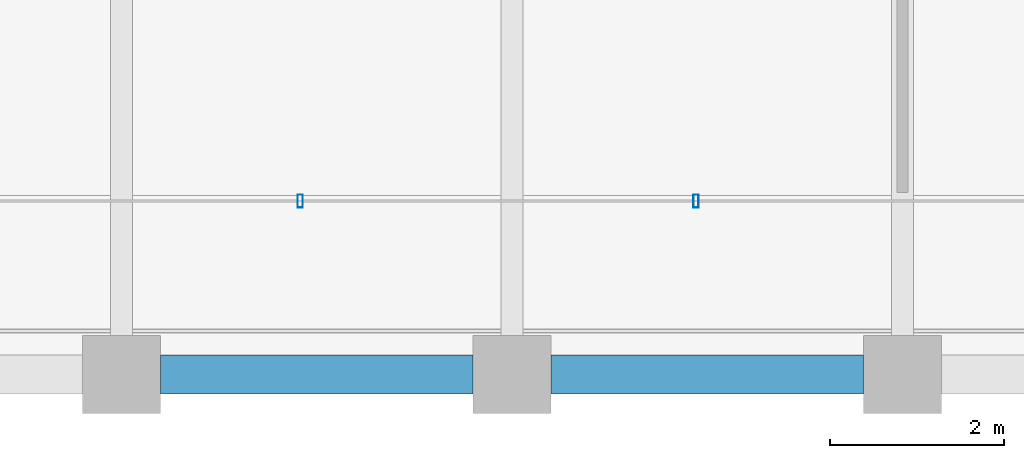
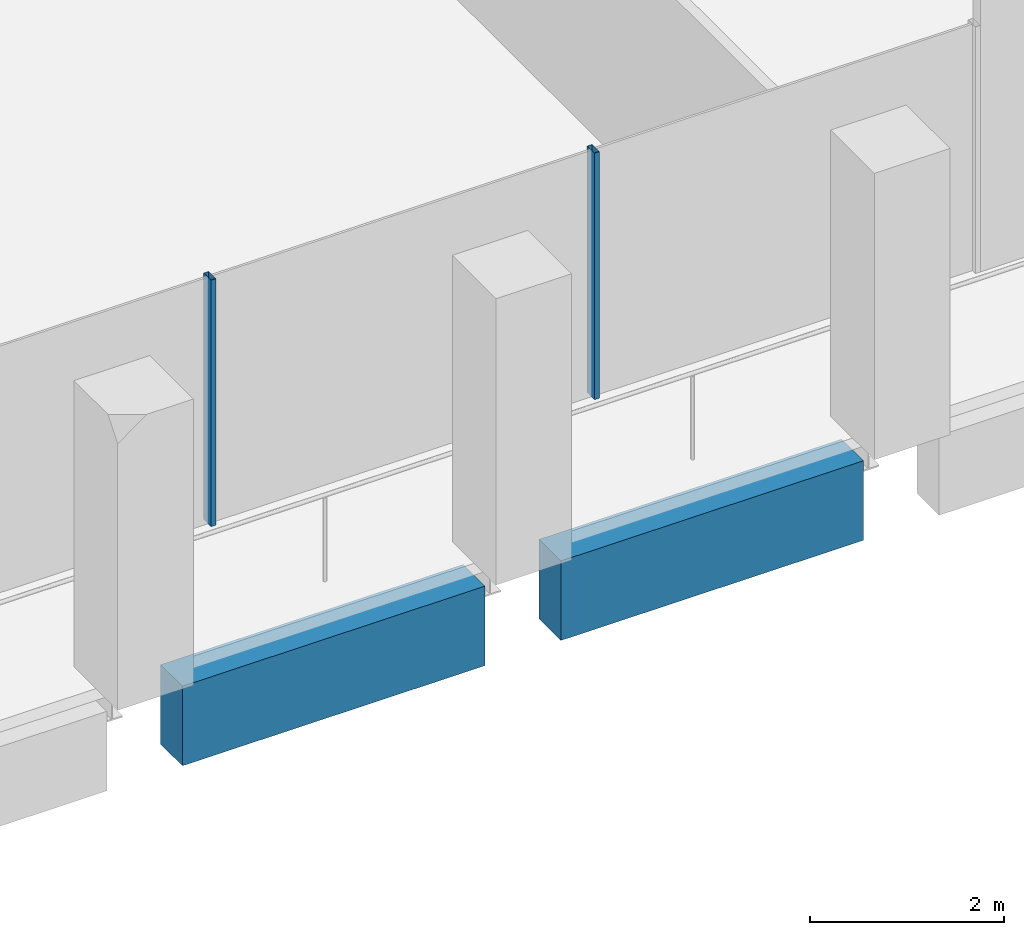
# One storey, part 3 of 40: 2 beams, 2 members, 1 element without a shape of its own.
"""IFC4 building model written with IfcOpenShell, lengths in metres."""

from ifc_helpers import new_model, si_unit, direction, frame, origin, origin_2d, place, context, subcontext, project, spatial, rectangle, hollow_rectangle, extrude, material, material_profile, profile_set, type_object, element, aggregate, save


model = new_model("IFC4")

# Units and contexts
model_context = context("Model", 3, precision=1e-05, world=origin(), true_north=direction((0.0, 1.0)))
body_context = subcontext(model_context, "Body", "Model", "MODEL_VIEW")
ifc_project = project(units=[si_unit("LENGTHUNIT", "METRE"), si_unit("AREAUNIT", "SQUARE_METRE"), si_unit("VOLUMEUNIT", "CUBIC_METRE"), si_unit("PLANEANGLEUNIT", "RADIAN"), si_unit("MASSUNIT", "GRAM", prefix="KILO")], contexts=[model_context])

# Site, building, storey
site_placement = place(None, origin())
site = spatial("IfcSite", under=ifc_project, at=site_placement, CompositionType="ELEMENT")
building_placement = place(site_placement, origin())
building = spatial("IfcBuilding", under=site, at=building_placement, Name="Altepetl Exchange Towers", CompositionType="ELEMENT")
storey_placement = place(building_placement, frame((0.0, 0.0, 183.39990234375)))
storey = spatial("IfcBuildingStorey", under=building, at=storey_placement, Name="L46", CompositionType="ELEMENT", Elevation=183.39990234375)

# Curtain wall, members
ifc_material_1 = material(Name="Aluminium 6063-T6 glazing", Category="aluminium")
curtain_wall_type = type_object("IfcCurtainWallType", Name="Loggia glazing system", PredefinedType="NOTDEFINED", material=ifc_material_1)
curtain_wall_placement = place(storey_placement, origin())
curtain_wall = element("IfcCurtainWall", 1, at=curtain_wall_placement, inside=storey, type_object=curtain_wall_type, Name="CW1 run", PredefinedType="NOTDEFINED")
ifc_material_2 = material(Name="Aluminium 6063-T6", Category="aluminium")
ifc_material_profile_1 = material_profile(ifc_material_2, hollow_rectangle(XDim=0.06005859375, YDim=0.14990234375, WallThickness=0.0029296875, at=origin_2d()), Name="Mullion 60x150 aluminium")
ifc_profile_set_1 = profile_set([ifc_material_profile_1], Name="Aluminium 6063-T6")
member_type = type_object("IfcMemberType", Name="Mullion 60x150 aluminium", PredefinedType="MULLION", material=ifc_profile_set_1)
member_1_placement = place(storey_placement, frame((38.060791015625, 29.0, 0.0)))
member_1 = element("IfcMember", 2, at=member_1_placement, type_object=member_type, Name="MU1 mullion", PredefinedType="MULLION", context=body_context, shape_type="SweptSolid", body=[
    extrude(hollow_rectangle(XDim=0.06005859375, YDim=0.14990234375, WallThickness=0.0029296875, at=origin_2d()), origin(), (0.0, 0.0, 1.0), 3.10009765625),
])
member_2_placement = place(storey_placement, frame((42.621337890625, 29.0, 0.0)))
member_2 = element("IfcMember", 3, at=member_2_placement, type_object=member_type, Name="MU1 mullion", PredefinedType="MULLION", context=body_context, shape_type="SweptSolid", body=[
    extrude(hollow_rectangle(XDim=0.06005859375, YDim=0.14990234375, WallThickness=0.0029296875, at=origin_2d()), origin(), (0.0, 0.0, 1.0), 3.10009765625),
])
aggregate(curtain_wall, [member_1, member_2])

# Beams
ifc_material_3 = material(Name="Concrete C50/60 precast with cantera blanca facing", Category="concrete")
ifc_material_profile_2 = material_profile(ifc_material_3, rectangle(XDim=0.449951171875, YDim=1.0, at=origin_2d()), Name="450 x 1000")
ifc_profile_set_2 = profile_set([ifc_material_profile_2], Name="Concrete C50/60 precast with cantera blanca facing")
beam_type = type_object("IfcBeamType", Name="Spandrel beam 450x1000 cantera blanca", PredefinedType="SPANDREL", material=ifc_profile_set_2)
for number, where, z_axis, x_axis, name in (
    (4, (36.449951171875, 27.0, -0.64990234375), (1.0, 0.0, 0.0), (0.0, 1.0, 0.0), "sp:A:L46:001"),
    (5, (40.949951171875, 27.0, -0.64990234375), (1.0, 0.0, 0.0), (0.0, 1.0, 0.0), "sp:A:L46:002"),
):
    element("IfcBeam", number, at=place(storey_placement, frame(where, z_axis=z_axis, x_axis=x_axis)), inside=storey, type_object=beam_type, Name=name, PredefinedType="SPANDREL", context=body_context, shape_type="SweptSolid", body=[
        extrude(rectangle(XDim=0.449951171875, YDim=1.0, at=origin_2d()), origin(), (0.0, 0.0, 1.0), 3.60009765625),
    ])

save(model, "model.ifc")
